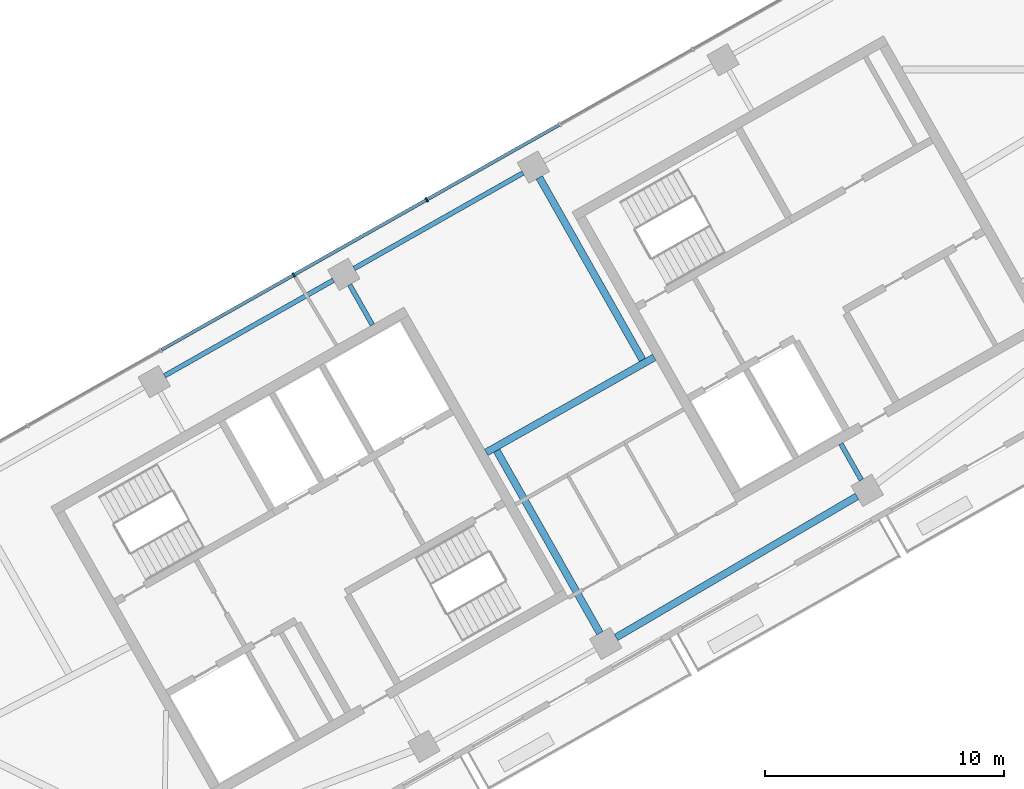
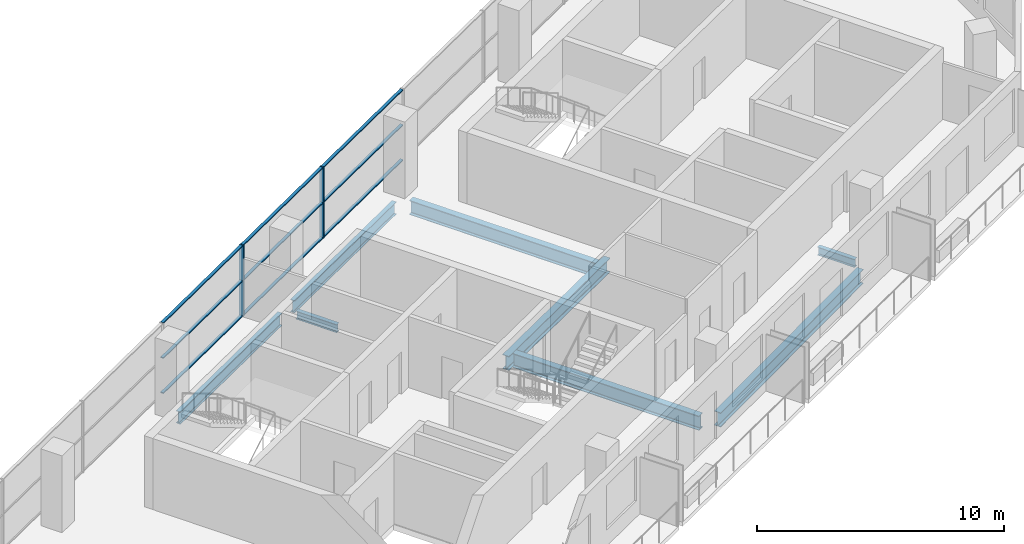
# One storey, part 3 of 10: 11 members, 8 beams, 1 element without a shape of its own.
"""IFC4 building model written with IfcOpenShell, lengths in metres."""

from ifc_helpers import new_model, si_unit, direction, frame, origin, origin_2d, place, context, subcontext, project, spatial, rectangle, i_section, extrude, material, material_profile, profile_set, type_object, element, aggregate, save


model = new_model("IFC4")

# Units and contexts
model_context = context("Model", 3, precision=1e-05, world=origin(), true_north=direction((0.0, 1.0)))
body_context = subcontext(model_context, "Body", "Model", "MODEL_VIEW")
ifc_project = project(units=[si_unit("LENGTHUNIT", "METRE"), si_unit("AREAUNIT", "SQUARE_METRE"), si_unit("VOLUMEUNIT", "CUBIC_METRE"), si_unit("PLANEANGLEUNIT", "RADIAN"), si_unit("MASSUNIT", "GRAM", prefix="KILO")], contexts=[model_context])

# Site, building, storey
site_placement = place(None, origin())
site = spatial("IfcSite", under=ifc_project, at=site_placement, CompositionType="ELEMENT")
building_placement = place(site_placement, origin())
building = spatial("IfcBuilding", under=site, at=building_placement, Name="Binnacle Exchange Tower", CompositionType="ELEMENT")
storey_placement = place(building_placement, frame((0.0, 0.0, 331.699951171875)))
storey = spatial("IfcBuildingStorey", under=building, at=storey_placement, Name="L75", CompositionType="ELEMENT", Elevation=331.699951171875)

# Curtain wall, members
ifc_material_1 = material(Name="Bronze anodised aluminium frame", Category="aluminium")
curtain_wall_type = type_object("IfcCurtainWallType", Name="External wall - curtain wall executive floors", PredefinedType="NOTDEFINED", material=ifc_material_1)
curtain_wall_placement = place(storey_placement, origin())
curtain_wall = element("IfcCurtainWall", 1, at=curtain_wall_placement, inside=storey, type_object=curtain_wall_type, Name="External wall curtain wall CW4-H03 L75", PredefinedType="NOTDEFINED")
ifc_material_profile_1 = material_profile(ifc_material_1, rectangle(XDim=0.199951171875, YDim=0.070068359375, at=origin_2d()), Name="AL 70x200")
ifc_profile_set_1 = profile_set([ifc_material_profile_1], Name="Bronze anodised aluminium frame")
member_type_1 = type_object("IfcMemberType", Name="CW4 MULLION 70x200", PredefinedType="MULLION", material=ifc_profile_set_1)
member_1_placement = place(storey_placement, frame((-30.85791015625, 54.541259765625, 0.0), z_axis=(0.0, 0.0, 1.0), x_axis=(0.492423763019, -0.870355581136, 0.0)))
member_1 = element("IfcMember", 2, at=member_1_placement, type_object=member_type_1, Name="CW4-H03 mullion 6", PredefinedType="MULLION", context=body_context, shape_type="SweptSolid", body=[
    extrude(rectangle(XDim=0.199951171875, YDim=0.070068359375, at=origin_2d()), origin(), (0.0, 0.0, 1.0), 3.52001953125),
])
member_2_placement = place(storey_placement, frame((-36.432861328125, 51.38720703125, 0.0), z_axis=(0.0, 0.0, 1.0), x_axis=(0.492423763019, -0.870355581136, 0.0)))
member_2 = element("IfcMember", 3, at=member_2_placement, type_object=member_type_1, Name="CW4-H03 mullion 7", PredefinedType="MULLION", context=body_context, shape_type="SweptSolid", body=[
    extrude(rectangle(XDim=0.199951171875, YDim=0.070068359375, at=origin_2d()), origin(), (0.0, 0.0, 1.0), 3.52001953125),
])
ifc_material_profile_2 = material_profile(ifc_material_1, rectangle(XDim=0.139892578125, YDim=0.050048828125, at=origin_2d()), Name="AL 140x50")
ifc_profile_set_2 = profile_set([ifc_material_profile_2], Name="Bronze anodised aluminium frame")
member_type_2 = type_object("IfcMemberType", Name="CW4 TRANSOM 50x140", PredefinedType="USERDEFINED", material=ifc_profile_set_2)
member_3_placement = place(storey_placement, frame((-25.3134765625, 57.67822265625, 0.025146484375), z_axis=(-0.870364679821, -0.492407680809, 0.0), x_axis=(0.492407680809, -0.870364679821, 0.0)))
member_3 = element("IfcMember", 4, at=member_3_placement, type_object=member_type_2, Name="CW4-H03 transom 5.1", ObjectType="TRANSOM", PredefinedType="USERDEFINED", context=body_context, shape_type="SweptSolid", body=[
    extrude(rectangle(XDim=0.139892578125, YDim=0.050048828125, at=origin_2d()), origin(), (0.0, 0.0, 1.0), 6.33544921875),
])
member_4_placement = place(storey_placement, frame((-25.3134765625, 57.67822265625, 1.760009765625), z_axis=(-0.870364679821, -0.492407680809, 0.0), x_axis=(0.492407680809, -0.870364679821, 0.0)))
member_4 = element("IfcMember", 5, at=member_4_placement, type_object=member_type_2, Name="CW4-H03 transom 5.2", ObjectType="TRANSOM", PredefinedType="USERDEFINED", context=body_context, shape_type="SweptSolid", body=[
    extrude(rectangle(XDim=0.139892578125, YDim=0.050048828125, at=origin_2d()), origin(), (0.0, 0.0, 1.0), 6.33544921875),
])
member_5_placement = place(storey_placement, frame((-25.3134765625, 57.67822265625, 3.4951171875), z_axis=(-0.870364679821, -0.492407680809, 0.0), x_axis=(0.492407680809, -0.870364679821, 0.0)))
member_5 = element("IfcMember", 6, at=member_5_placement, type_object=member_type_2, Name="CW4-H03 transom 5.3", ObjectType="TRANSOM", PredefinedType="USERDEFINED", context=body_context, shape_type="SweptSolid", body=[
    extrude(rectangle(XDim=0.139892578125, YDim=0.050048828125, at=origin_2d()), origin(), (0.0, 0.0, 1.0), 6.33544921875),
])
member_6_placement = place(storey_placement, frame((-30.888427734375, 54.524169921875, 0.025146484375), z_axis=(-0.870355335808, -0.492424196633, 0.0), x_axis=(0.492424196633, -0.870355335808, 0.0)))
member_6 = element("IfcMember", 7, at=member_6_placement, type_object=member_type_2, Name="CW4-H03 transom 6.1", ObjectType="TRANSOM", PredefinedType="USERDEFINED", context=body_context, shape_type="SweptSolid", body=[
    extrude(rectangle(XDim=0.139892578125, YDim=0.050048828125, at=origin_2d()), origin(), (0.0, 0.0, 1.0), 6.335205078125),
])
member_7_placement = place(storey_placement, frame((-30.888427734375, 54.524169921875, 1.760009765625), z_axis=(-0.870355335808, -0.492424196633, 0.0), x_axis=(0.492424196633, -0.870355335808, 0.0)))
member_7 = element("IfcMember", 8, at=member_7_placement, type_object=member_type_2, Name="CW4-H03 transom 6.2", ObjectType="TRANSOM", PredefinedType="USERDEFINED", context=body_context, shape_type="SweptSolid", body=[
    extrude(rectangle(XDim=0.139892578125, YDim=0.050048828125, at=origin_2d()), origin(), (0.0, 0.0, 1.0), 6.335205078125),
])
member_8_placement = place(storey_placement, frame((-30.888427734375, 54.524169921875, 3.4951171875), z_axis=(-0.870355335808, -0.492424196633, 0.0), x_axis=(0.492424196633, -0.870355335808, 0.0)))
member_8 = element("IfcMember", 9, at=member_8_placement, type_object=member_type_2, Name="CW4-H03 transom 6.3", ObjectType="TRANSOM", PredefinedType="USERDEFINED", context=body_context, shape_type="SweptSolid", body=[
    extrude(rectangle(XDim=0.139892578125, YDim=0.050048828125, at=origin_2d()), origin(), (0.0, 0.0, 1.0), 6.335205078125),
])
member_9_placement = place(storey_placement, frame((-36.46337890625, 51.3701171875, 0.025146484375), z_axis=(-0.870338819343, -0.492453388195, 0.0), x_axis=(0.492453388195, -0.870338819343, 0.0)))
member_9 = element("IfcMember", 10, at=member_9_placement, type_object=member_type_2, Name="CW4-H03 transom 7.1", ObjectType="TRANSOM", PredefinedType="USERDEFINED", context=body_context, shape_type="SweptSolid", body=[
    extrude(rectangle(XDim=0.139892578125, YDim=0.050048828125, at=origin_2d()), origin(), (0.0, 0.0, 1.0), 6.33544921875),
])
member_10_placement = place(storey_placement, frame((-36.46337890625, 51.3701171875, 1.760009765625), z_axis=(-0.870338819343, -0.492453388195, 0.0), x_axis=(0.492453388195, -0.870338819343, 0.0)))
member_10 = element("IfcMember", 11, at=member_10_placement, type_object=member_type_2, Name="CW4-H03 transom 7.2", ObjectType="TRANSOM", PredefinedType="USERDEFINED", context=body_context, shape_type="SweptSolid", body=[
    extrude(rectangle(XDim=0.139892578125, YDim=0.050048828125, at=origin_2d()), origin(), (0.0, 0.0, 1.0), 6.33544921875),
])
member_11_placement = place(storey_placement, frame((-36.46337890625, 51.3701171875, 3.4951171875), z_axis=(-0.870338819343, -0.492453388195, 0.0), x_axis=(0.492453388195, -0.870338819343, 0.0)))
member_11 = element("IfcMember", 12, at=member_11_placement, type_object=member_type_2, Name="CW4-H03 transom 7.3", ObjectType="TRANSOM", PredefinedType="USERDEFINED", context=body_context, shape_type="SweptSolid", body=[
    extrude(rectangle(XDim=0.139892578125, YDim=0.050048828125, at=origin_2d()), origin(), (0.0, 0.0, 1.0), 6.33544921875),
])
aggregate(curtain_wall, [member_1, member_2, member_3, member_4, member_5, member_6, member_7, member_8, member_9, member_10, member_11])

# Beams
ifc_material_2 = material(Name="Steel S355 (SHN355)", Category="steel")
ifc_material_profile_3 = material_profile(ifc_material_2, i_section(OverallWidth=0.201904296875, OverallDepth=0.612060546875, WebThickness=0.012939453125, FlangeThickness=0.02294921875, FilletRadius=0.02197265625, at=origin_2d()), Name="H 612x202x13x23")
ifc_profile_set_3 = profile_set([ifc_material_profile_3], Name="Steel S355 (SHN355)")
beam_type_1 = type_object("IfcBeamType", Name="Edge girder H 612x202x13x23 Steel S355 (SHN355)", PredefinedType="SPANDREL", material=ifc_profile_set_3)
beam_1_placement = place(storey_placement, frame((-34.76904296875, 51.168212890625, -0.5859375), z_axis=(-0.870345742373, -0.492441152558, 0.0), x_axis=(0.492441152558, -0.870345742373, 0.0)))
element("IfcBeam", 13, at=beam_1_placement, inside=storey, type_object=beam_type_1, Name="S:BM:edge:L75:009", PredefinedType="SPANDREL", context=body_context, shape_type="SweptSolid", body=[
    extrude(i_section(OverallWidth=0.201904296875, OverallDepth=0.612060546875, WebThickness=0.012939453125, FlangeThickness=0.02294921875, FilletRadius=0.02197265625, at=origin_2d()), origin(), (0.0, 0.0, 1.0), 8.129638671875),
])
beam_2_placement = place(storey_placement, frame((-26.82275390625, 55.6640625, -0.5859375), z_axis=(-0.870353024448, -0.49242828192, 0.0), x_axis=(0.49242828192, -0.870353024448, 0.0)))
element("IfcBeam", 14, at=beam_2_placement, inside=storey, type_object=beam_type_1, Name="S:BM:edge:L75:011", PredefinedType="SPANDREL", context=body_context, shape_type="SweptSolid", body=[
    extrude(i_section(OverallWidth=0.201904296875, OverallDepth=0.612060546875, WebThickness=0.012939453125, FlangeThickness=0.02294921875, FilletRadius=0.02197265625, at=origin_2d()), origin(), (0.0, 0.0, 1.0), 8.1298828125),
])
ifc_material_profile_4 = material_profile(ifc_material_2, i_section(OverallWidth=0.302001953125, OverallDepth=0.7080078125, WebThickness=0.014892578125, FlangeThickness=0.028076171875, FilletRadius=0.028076171875, at=origin_2d()), Name="H 708x302x15x28")
ifc_profile_set_4 = profile_set([ifc_material_profile_4], Name="Steel S355 (SHN355)")
beam_type_2 = type_object("IfcBeamType", Name="Edge girder H 708x302x15x28 Steel S355 (SHN355)", PredefinedType="SPANDREL", material=ifc_profile_set_4)
beam_3_placement = place(storey_placement, frame((-22.924560546875, 36.198974609375, -0.634033203125), z_axis=(0.862883491145, 0.505402889494, 0.0), x_axis=(-0.505402889494, 0.862883491145, 0.0)))
element("IfcBeam", 15, at=beam_3_placement, inside=storey, type_object=beam_type_2, Name="S:BM:edge:L75:012", PredefinedType="SPANDREL", context=body_context, shape_type="SweptSolid", body=[
    extrude(i_section(OverallWidth=0.302001953125, OverallDepth=0.7080078125, WebThickness=0.014892578125, FlangeThickness=0.028076171875, FilletRadius=0.028076171875, at=origin_2d()), origin(), (0.0, 0.0, 1.0), 11.69677734375),
])
ifc_material_profile_5 = material_profile(ifc_material_2, i_section(OverallWidth=0.199951171875, OverallDepth=0.39990234375, WebThickness=0.008056640625, FlangeThickness=0.012939453125, FilletRadius=0.01611328125, at=origin_2d()), Name="H 400x200x8x13")
ifc_profile_set_5 = profile_set([ifc_material_profile_5], Name="Steel S355 (SHN355)")
beam_type_3 = type_object("IfcBeamType", Name="Floor beam H 400x200x8x13 Steel S355 (SHN355)", PredefinedType="BEAM", material=ifc_profile_set_5)
beam_4_placement = place(storey_placement, frame((-34.087646484375, 50.979248046875, -0.47998046875), z_axis=(0.492464757892, -0.870332386065, 0.0), x_axis=(0.870332386065, 0.492464757892, 0.0)))
element("IfcBeam", 16, at=beam_4_placement, inside=storey, type_object=beam_type_3, Name="S:BM:cross:L75:022", PredefinedType="BEAM", context=body_context, shape_type="SweptSolid", body=[
    extrude(i_section(OverallWidth=0.199951171875, OverallDepth=0.39990234375, WebThickness=0.008056640625, FlangeThickness=0.012939453125, FilletRadius=0.01611328125, at=origin_2d()), origin(), (0.0, 0.0, 1.0), 1.934326171875),
])
beam_5_placement = place(storey_placement, frame((-12.646240234375, 42.79833984375, -0.47998046875), z_axis=(-0.492426196623, 0.870354204264, 0.0), x_axis=(-0.870354204264, -0.492426196623, 0.0)))
element("IfcBeam", 17, at=beam_5_placement, inside=storey, type_object=beam_type_3, Name="S:BM:cross:L75:027", PredefinedType="BEAM", context=body_context, shape_type="SweptSolid", body=[
    extrude(i_section(OverallWidth=0.199951171875, OverallDepth=0.39990234375, WebThickness=0.008056640625, FlangeThickness=0.012939453125, FilletRadius=0.01611328125, at=origin_2d()), origin(), (0.0, 0.0, 1.0), 1.744140625),
])
ifc_material_profile_6 = material_profile(ifc_material_2, i_section(OverallWidth=0.302001953125, OverallDepth=0.7080078125, WebThickness=0.014892578125, FlangeThickness=0.028076171875, FilletRadius=0.028076171875, at=origin_2d()), Name="H 708x302x15x28")
ifc_profile_set_6 = profile_set([ifc_material_profile_6], Name="Steel S355 (SHN355)")
beam_type_4 = type_object("IfcBeamType", Name="Floor beam H 708x302x15x28 Steel S355 (SHN355)", PredefinedType="BEAM", material=ifc_profile_set_6)
for number, where, z_axis, x_axis, name in (
    (18, (-26.141357421875, 55.47509765625, -0.634033203125), (0.492407973512, -0.870364514225, 0.0), (0.870364514225, 0.492407973512, 0.0), "S:BM:cross:L75:024"),
    (19, (-23.602294921875, 36.38134765625, -0.634033203125), (-0.492407973512, 0.870364514225, 0.0), (-0.870364514225, -0.492407973512, 0.0), "S:BM:cross:L75:025"),
):
    element("IfcBeam", number, at=place(storey_placement, frame(where, z_axis=z_axis, x_axis=x_axis)), inside=storey, type_object=beam_type_4, Name=name, PredefinedType="BEAM", context=body_context, shape_type="SweptSolid", body=[
        extrude(i_section(OverallWidth=0.302001953125, OverallDepth=0.7080078125, WebThickness=0.014892578125, FlangeThickness=0.028076171875, FilletRadius=0.028076171875, at=origin_2d()), origin(), (0.0, 0.0, 1.0), 8.7841796875),
    ])
ifc_material_profile_7 = material_profile(ifc_material_2, i_section(OverallWidth=0.302001953125, OverallDepth=0.7080078125, WebThickness=0.014892578125, FlangeThickness=0.028076171875, FilletRadius=0.028076171875, at=origin_2d()), Name="H 708x302x15x28")
ifc_profile_set_7 = profile_set([ifc_material_profile_7], Name="Steel S355 (SHN355)")
beam_type_5 = type_object("IfcBeamType", Name="Spine girder H 708x302x15x28 Steel S355 (SHN355)", PredefinedType="BEAM", material=ifc_profile_set_7)
beam_6_placement = place(storey_placement, frame((-28.365478515625, 43.951416015625, -0.634033203125), z_axis=(0.870350319004, 0.492433063684, 0.0), x_axis=(-0.492433063684, 0.870350319004, 0.0)))
element("IfcBeam", 20, at=beam_6_placement, inside=storey, type_object=beam_type_5, Name="S:BM:spine:L75:002", PredefinedType="BEAM", context=body_context, shape_type="SweptSolid", body=[
    extrude(i_section(OverallWidth=0.302001953125, OverallDepth=0.7080078125, WebThickness=0.014892578125, FlangeThickness=0.028076171875, FilletRadius=0.028076171875, at=origin_2d()), origin(), (0.0, 0.0, 1.0), 8.0908203125),
])

save(model, "model.ifc")
